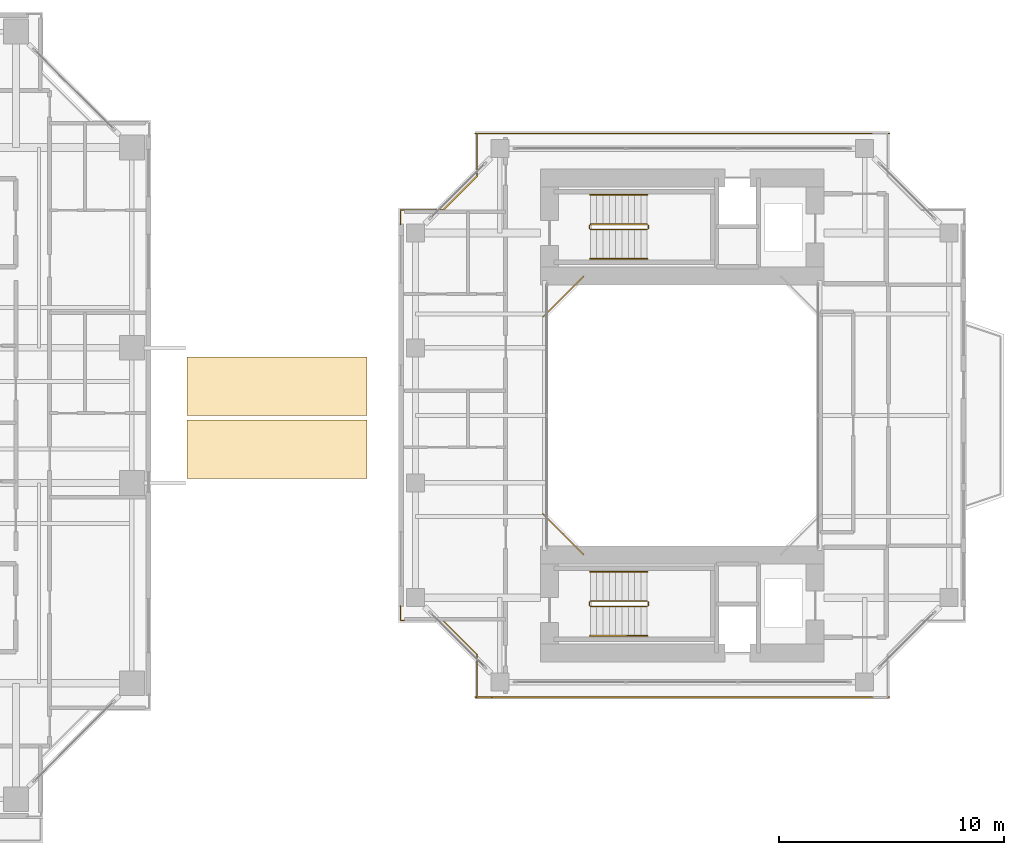
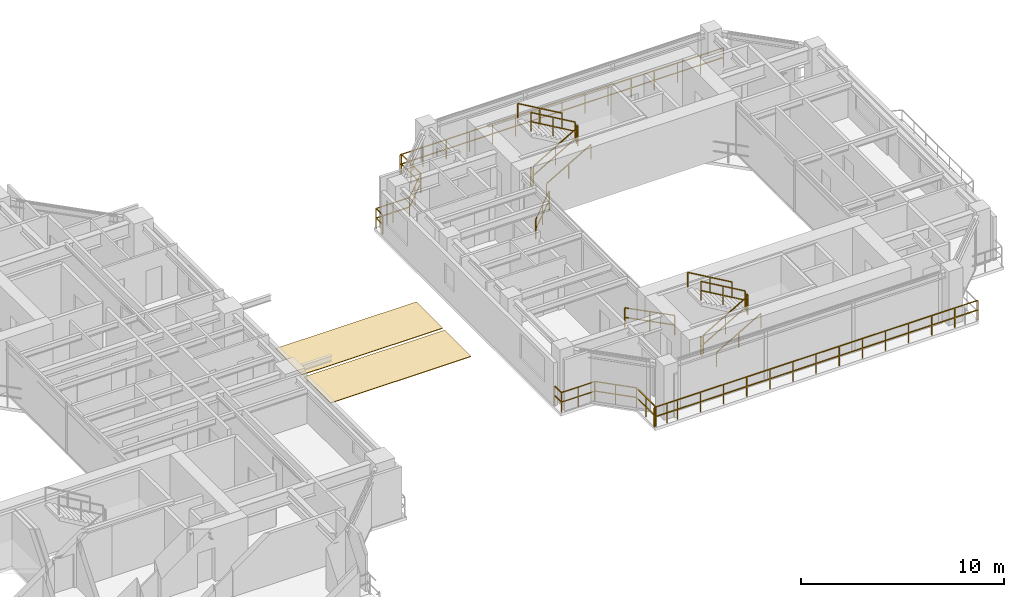
# One storey, part 22 of 23: 18 railings, 2 coverings.
"""IFC4 building model written with IfcOpenShell, lengths in metres."""

from ifc_helpers import new_model, si_unit, direction, frame, origin, origin_2d, place, context, subcontext, project, spatial, polyline, rectangle, outline, extrude, material, layer, layer_set, type_object, element, save


model = new_model("IFC4")

# Units and contexts
model_context = context("Model", 3, precision=1e-05, world=origin(), true_north=direction((0.0, 1.0)))
body_context = subcontext(model_context, "Body", "Model", "MODEL_VIEW")
ifc_project = project(units=[si_unit("LENGTHUNIT", "METRE"), si_unit("AREAUNIT", "SQUARE_METRE"), si_unit("VOLUMEUNIT", "CUBIC_METRE"), si_unit("PLANEANGLEUNIT", "RADIAN"), si_unit("MASSUNIT", "GRAM", prefix="KILO"), si_unit("THERMODYNAMICTEMPERATUREUNIT", "KELVIN"), si_unit("POWERUNIT", "WATT")], contexts=[model_context])

# Site, building, storey
site_placement = place(None, origin())
site = spatial("IfcSite", under=ifc_project, at=site_placement, CompositionType="ELEMENT")
building_placement = place(site_placement, origin())
building = spatial("IfcBuilding", under=site, at=building_placement, Name="Qiaomeng Ring Towers", CompositionType="ELEMENT")
storey_placement = place(building_placement, frame((0.0, 0.0, 97.0)))
storey = spatial("IfcBuildingStorey", under=building, at=storey_placement, Name="L27", CompositionType="ELEMENT", Elevation=97.0)

# Coverings
ifc_material_1 = material(Name="EPDM waterproofing membrane and XPS insulation", Category="membrane")
ifc_layer = layer(ifc_material_1, 0.0400390625, Name="EPDM waterproofing membrane and XPS insulation")
ifc_layer_set = layer_set([ifc_layer], Name="EPDM waterproofing membrane and XPS insulation")
covering_type = type_object("IfcCoveringType", Name="ARC-COV-ROOF", PredefinedType="ROOFING", material=ifc_layer_set)
covering_1_placement = place(storey_placement, origin())
element("IfcCovering", 1, at=covering_1_placement, inside=storey, type_object=covering_type, Name="Skybridge SB2 Roof Waterproofing 1", PredefinedType="ROOFING", context=body_context, shape_type="SweptSolid", body=[
    extrude(outline(polyline([(38.5, 20.199951171875), (46.5, 20.199951171875), (46.5, 22.800048828125), (38.5, 22.800048828125), (38.5, 20.199951171875)])), origin(), (0.0, 0.0, 1.0), 0.0400390625),
])
covering_2_placement = place(storey_placement, origin())
element("IfcCovering", 2, at=covering_2_placement, inside=storey, type_object=covering_type, Name="Skybridge SB2 Roof Waterproofing 2", PredefinedType="ROOFING", context=body_context, shape_type="SweptSolid", body=[
    extrude(outline(polyline([(38.5, 23.0), (46.5, 23.0), (46.5, 25.60009765625), (38.5, 25.60009765625), (38.5, 23.0)])), origin(), (0.0, 0.0, 1.0), 0.0400390625),
])

# Railings
ifc_material_2 = material(Name="Low-E pale-green laminated safety glass", Category="glass")
railing_type_1 = type_object("IfcRailingType", Name="ARC-RL-BAL1", PredefinedType="BALUSTRADE", material=ifc_material_2)
railing_1_placement = place(storey_placement, frame((56.1201171875, 29.179931640625, 0.0)))
element("IfcRailing", 3, at=railing_1_placement, inside=storey, type_object=railing_type_1, Name="L27 Balustrade ARC-BAL-WELL2-L27-3", PredefinedType="BALUSTRADE", context=body_context, shape_type="SweptSolid", body=[
    extrude(rectangle(XDim=0.048095703125, YDim=0.048095703125, at=origin_2d()), frame((0.0, 0.0, 1.17578125), z_axis=(-0.707106781187, -0.707106781187, 0.0), x_axis=(0.707106781187, -0.707106781187, 0.0)), (0.0, 0.0, 1.0), 2.545654296875),
    extrude(rectangle(XDim=0.048095703125, YDim=0.048095703125, at=origin_2d()), frame((0.0, 0.0, 0.60009765625), z_axis=(-0.707106781187, -0.707106781187, 0.0), x_axis=(0.707106781187, -0.707106781187, 0.0)), (0.0, 0.0, 1.0), 2.545654296875),
    extrude(rectangle(XDim=0.0419921875, YDim=0.0419921875, at=origin_2d()), origin(), (0.0, 0.0, 1.0), 1.15185546875),
    extrude(rectangle(XDim=0.0419921875, YDim=0.0419921875, at=origin_2d()), frame((-0.89990234375, -0.89990234375, 0.0)), (0.0, 0.0, 1.0), 1.15185546875),
    extrude(rectangle(XDim=0.0419921875, YDim=0.0419921875, at=origin_2d()), frame((-1.800048828125, -1.800048828125, 0.0)), (0.0, 0.0, 1.0), 1.15185546875),
])
railing_2_placement = place(storey_placement, frame((54.320068359375, 18.6201171875, 0.0)))
element("IfcRailing", 4, at=railing_2_placement, inside=storey, type_object=railing_type_1, Name="L27 Balustrade ARC-BAL-WELL2-L27-4", PredefinedType="BALUSTRADE", context=body_context, shape_type="SweptSolid", body=[
    extrude(rectangle(XDim=0.048095703125, YDim=0.048095703125, at=origin_2d()), frame((0.0, 0.0, 1.17578125), z_axis=(0.707106781187, -0.707106781187, 0.0), x_axis=(0.707106781187, 0.707106781187, 0.0)), (0.0, 0.0, 1.0), 2.545654296875),
    extrude(rectangle(XDim=0.048095703125, YDim=0.048095703125, at=origin_2d()), frame((0.0, 0.0, 0.60009765625), z_axis=(0.707106781187, -0.707106781187, 0.0), x_axis=(0.707106781187, 0.707106781187, 0.0)), (0.0, 0.0, 1.0), 2.545654296875),
    extrude(rectangle(XDim=0.0419921875, YDim=0.0419921875, at=origin_2d()), origin(), (0.0, 0.0, 1.0), 1.15185546875),
    extrude(rectangle(XDim=0.0419921875, YDim=0.0419921875, at=origin_2d()), frame((0.89990234375, -0.89990234375, 0.0)), (0.0, 0.0, 1.0), 1.15185546875),
    extrude(rectangle(XDim=0.0419921875, YDim=0.0419921875, at=origin_2d()), frame((1.800048828125, -1.800048828125, 0.0)), (0.0, 0.0, 1.0), 1.15185546875),
])
railing_3_placement = place(storey_placement, frame((52.030029296875, 35.52001953125, 0.0)))
element("IfcRailing", 5, at=railing_3_placement, inside=storey, type_object=railing_type_1, Name="L27 Balustrade ARC-BAL-NOTCH2-L27-NW", PredefinedType="BALUSTRADE", context=body_context, shape_type="SweptSolid", body=[
    extrude(rectangle(XDim=0.048095703125, YDim=0.048095703125, at=origin_2d()), frame((0.0, 0.0, 1.17578125), z_axis=(-1.0, 0.0, 0.0), x_axis=(0.0, -1.0, 0.0)), (0.0, 0.0, 1.0), 0.650146484375),
    extrude(rectangle(XDim=0.048095703125, YDim=0.048095703125, at=origin_2d()), frame((0.0, 0.0, 0.60009765625), z_axis=(-1.0, 0.0, 0.0), x_axis=(0.0, -1.0, 0.0)), (0.0, 0.0, 1.0), 0.650146484375),
    extrude(rectangle(XDim=0.048095703125, YDim=0.048095703125, at=origin_2d()), frame((-0.650146484375, 0.0, 1.17578125), z_axis=(0.0, -1.0, 0.0), x_axis=(1.0, 0.0, 0.0)), (0.0, 0.0, 1.0), 1.89990234375),
    extrude(rectangle(XDim=0.048095703125, YDim=0.048095703125, at=origin_2d()), frame((-0.650146484375, 0.0, 0.60009765625), z_axis=(0.0, -1.0, 0.0), x_axis=(1.0, 0.0, 0.0)), (0.0, 0.0, 1.0), 1.89990234375),
    extrude(rectangle(XDim=0.048095703125, YDim=0.048095703125, at=origin_2d()), frame((-0.650146484375, -1.89990234375, 1.17578125), z_axis=(-0.707106781187, -0.707106781187, 0.0), x_axis=(0.707106781187, -0.707106781187, 0.0)), (0.0, 0.0, 1.0), 2.121337890625),
    extrude(rectangle(XDim=0.048095703125, YDim=0.048095703125, at=origin_2d()), frame((-0.650146484375, -1.89990234375, 0.60009765625), z_axis=(-0.707106781187, -0.707106781187, 0.0), x_axis=(0.707106781187, -0.707106781187, 0.0)), (0.0, 0.0, 1.0), 2.121337890625),
    extrude(rectangle(XDim=0.048095703125, YDim=0.048095703125, at=origin_2d()), frame((-2.150146484375, -3.39990234375, 1.17578125), z_axis=(-1.0, 0.0, 0.0), x_axis=(0.0, -1.0, 0.0)), (0.0, 0.0, 1.0), 1.89990234375),
    extrude(rectangle(XDim=0.048095703125, YDim=0.048095703125, at=origin_2d()), frame((-2.150146484375, -3.39990234375, 0.60009765625), z_axis=(-1.0, 0.0, 0.0), x_axis=(0.0, -1.0, 0.0)), (0.0, 0.0, 1.0), 1.89990234375),
    extrude(rectangle(XDim=0.048095703125, YDim=0.048095703125, at=origin_2d()), frame((-4.050048828125, -3.39990234375, 1.17578125), z_axis=(0.0, -1.0, 0.0), x_axis=(1.0, 0.0, 0.0)), (0.0, 0.0, 1.0), 0.650146484375),
    extrude(rectangle(XDim=0.048095703125, YDim=0.048095703125, at=origin_2d()), frame((-4.050048828125, -3.39990234375, 0.60009765625), z_axis=(0.0, -1.0, 0.0), x_axis=(1.0, 0.0, 0.0)), (0.0, 0.0, 1.0), 0.650146484375),
    extrude(rectangle(XDim=0.0419921875, YDim=0.0419921875, at=origin_2d()), origin(), (0.0, 0.0, 1.0), 1.15185546875),
    extrude(rectangle(XDim=0.0419921875, YDim=0.0419921875, at=origin_2d()), frame((-0.650146484375, 0.0, 0.0)), (0.0, 0.0, 1.0), 1.15185546875),
    extrude(rectangle(XDim=0.0419921875, YDim=0.0419921875, at=origin_2d()), frame((-0.650146484375, -0.949951171875, 0.0)), (0.0, 0.0, 1.0), 1.15185546875),
    extrude(rectangle(XDim=0.0419921875, YDim=0.0419921875, at=origin_2d()), frame((-0.650146484375, -1.89990234375, 0.0)), (0.0, 0.0, 1.0), 1.15185546875),
    extrude(rectangle(XDim=0.0419921875, YDim=0.0419921875, at=origin_2d()), frame((-1.400146484375, -2.64990234375, 0.0)), (0.0, 0.0, 1.0), 1.15185546875),
    extrude(rectangle(XDim=0.0419921875, YDim=0.0419921875, at=origin_2d()), frame((-2.150146484375, -3.39990234375, 0.0)), (0.0, 0.0, 1.0), 1.15185546875),
    extrude(rectangle(XDim=0.0419921875, YDim=0.0419921875, at=origin_2d()), frame((-3.10009765625, -3.39990234375, 0.0)), (0.0, 0.0, 1.0), 1.15185546875),
    extrude(rectangle(XDim=0.0419921875, YDim=0.0419921875, at=origin_2d()), frame((-4.050048828125, -3.39990234375, 0.0)), (0.0, 0.0, 1.0), 1.15185546875),
    extrude(rectangle(XDim=0.0419921875, YDim=0.0419921875, at=origin_2d()), frame((-4.050048828125, -4.050048828125, 0.0)), (0.0, 0.0, 1.0), 1.15185546875),
])
railing_4_placement = place(storey_placement, frame((47.97998046875, 14.530029296875, 0.0)))
element("IfcRailing", 6, at=railing_4_placement, inside=storey, type_object=railing_type_1, Name="L27 Balustrade ARC-BAL-NOTCH2-L27-SW", PredefinedType="BALUSTRADE", context=body_context, shape_type="SweptSolid", body=[
    extrude(rectangle(XDim=0.048095703125, YDim=0.048095703125, at=origin_2d()), frame((0.0, 0.0, 1.17578125), z_axis=(0.0, -1.0, 0.0), x_axis=(1.0, 0.0, 0.0)), (0.0, 0.0, 1.0), 0.650146484375),
    extrude(rectangle(XDim=0.048095703125, YDim=0.048095703125, at=origin_2d()), frame((0.0, 0.0, 0.60009765625), z_axis=(0.0, -1.0, 0.0), x_axis=(1.0, 0.0, 0.0)), (0.0, 0.0, 1.0), 0.650146484375),
    extrude(rectangle(XDim=0.048095703125, YDim=0.048095703125, at=origin_2d()), frame((0.0, -0.650146484375, 1.17578125), z_axis=(1.0, 0.0, 0.0), x_axis=(0.0, 1.0, 0.0)), (0.0, 0.0, 1.0), 1.89990234375),
    extrude(rectangle(XDim=0.048095703125, YDim=0.048095703125, at=origin_2d()), frame((0.0, -0.650146484375, 0.60009765625), z_axis=(1.0, 0.0, 0.0), x_axis=(0.0, 1.0, 0.0)), (0.0, 0.0, 1.0), 1.89990234375),
    extrude(rectangle(XDim=0.048095703125, YDim=0.048095703125, at=origin_2d()), frame((1.89990234375, -0.650146484375, 1.17578125), z_axis=(0.707106781187, -0.707106781187, 0.0), x_axis=(0.707106781187, 0.707106781187, 0.0)), (0.0, 0.0, 1.0), 2.121337890625),
    extrude(rectangle(XDim=0.048095703125, YDim=0.048095703125, at=origin_2d()), frame((1.89990234375, -0.650146484375, 0.60009765625), z_axis=(0.707106781187, -0.707106781187, 0.0), x_axis=(0.707106781187, 0.707106781187, 0.0)), (0.0, 0.0, 1.0), 2.121337890625),
    extrude(rectangle(XDim=0.048095703125, YDim=0.048095703125, at=origin_2d()), frame((3.39990234375, -2.150146484375, 1.17578125), z_axis=(0.0, -1.0, 0.0), x_axis=(1.0, 0.0, 0.0)), (0.0, 0.0, 1.0), 1.89990234375),
    extrude(rectangle(XDim=0.048095703125, YDim=0.048095703125, at=origin_2d()), frame((3.39990234375, -2.150146484375, 0.60009765625), z_axis=(0.0, -1.0, 0.0), x_axis=(1.0, 0.0, 0.0)), (0.0, 0.0, 1.0), 1.89990234375),
    extrude(rectangle(XDim=0.048095703125, YDim=0.048095703125, at=origin_2d()), frame((3.39990234375, -4.050048828125, 1.17578125), z_axis=(1.0, 0.0, 0.0), x_axis=(0.0, 1.0, 0.0)), (0.0, 0.0, 1.0), 0.650146484375),
    extrude(rectangle(XDim=0.048095703125, YDim=0.048095703125, at=origin_2d()), frame((3.39990234375, -4.050048828125, 0.60009765625), z_axis=(1.0, 0.0, 0.0), x_axis=(0.0, 1.0, 0.0)), (0.0, 0.0, 1.0), 0.650146484375),
    extrude(rectangle(XDim=0.0419921875, YDim=0.0419921875, at=origin_2d()), origin(), (0.0, 0.0, 1.0), 1.15185546875),
    extrude(rectangle(XDim=0.0419921875, YDim=0.0419921875, at=origin_2d()), frame((0.0, -0.650146484375, 0.0)), (0.0, 0.0, 1.0), 1.15185546875),
    extrude(rectangle(XDim=0.0419921875, YDim=0.0419921875, at=origin_2d()), frame((0.949951171875, -0.650146484375, 0.0)), (0.0, 0.0, 1.0), 1.15185546875),
    extrude(rectangle(XDim=0.0419921875, YDim=0.0419921875, at=origin_2d()), frame((1.89990234375, -0.650146484375, 0.0)), (0.0, 0.0, 1.0), 1.15185546875),
    extrude(rectangle(XDim=0.0419921875, YDim=0.0419921875, at=origin_2d()), frame((2.64990234375, -1.400146484375, 0.0)), (0.0, 0.0, 1.0), 1.15185546875),
    extrude(rectangle(XDim=0.0419921875, YDim=0.0419921875, at=origin_2d()), frame((3.39990234375, -2.150146484375, 0.0)), (0.0, 0.0, 1.0), 1.15185546875),
    extrude(rectangle(XDim=0.0419921875, YDim=0.0419921875, at=origin_2d()), frame((3.39990234375, -3.10009765625, 0.0)), (0.0, 0.0, 1.0), 1.15185546875),
    extrude(rectangle(XDim=0.0419921875, YDim=0.0419921875, at=origin_2d()), frame((3.39990234375, -4.050048828125, 0.0)), (0.0, 0.0, 1.0), 1.15185546875),
    extrude(rectangle(XDim=0.0419921875, YDim=0.0419921875, at=origin_2d()), frame((4.050048828125, -4.050048828125, 0.0)), (0.0, 0.0, 1.0), 1.15185546875),
])
railing_5_placement = place(storey_placement, frame((51.300048828125, 35.52001953125, 0.0)))
element("IfcRailing", 7, at=railing_5_placement, inside=storey, type_object=railing_type_1, Name="L27 Balustrade ARC-BAL-T2N-L27", PredefinedType="BALUSTRADE", context=body_context, shape_type="SweptSolid", body=[
    extrude(rectangle(XDim=0.048095703125, YDim=0.048095703125, at=origin_2d()), frame((0.0, 0.0, 1.17578125), z_axis=(1.0, 0.0, 0.0), x_axis=(0.0, 1.0, 0.0)), (0.0, 0.0, 1.0), 18.39990234375),
    extrude(rectangle(XDim=0.048095703125, YDim=0.048095703125, at=origin_2d()), frame((0.0, 0.0, 0.60009765625), z_axis=(1.0, 0.0, 0.0), x_axis=(0.0, 1.0, 0.0)), (0.0, 0.0, 1.0), 18.39990234375),
    extrude(rectangle(XDim=0.0419921875, YDim=0.0419921875, at=origin_2d()), origin(), (0.0, 0.0, 1.0), 1.15185546875),
    extrude(rectangle(XDim=0.0419921875, YDim=0.0419921875, at=origin_2d()), frame((1.314208984375, 0.0, 0.0)), (0.0, 0.0, 1.0), 1.15185546875),
    extrude(rectangle(XDim=0.0419921875, YDim=0.0419921875, at=origin_2d()), frame((2.628662109375, 0.0, 0.0)), (0.0, 0.0, 1.0), 1.15185546875),
    extrude(rectangle(XDim=0.0419921875, YDim=0.0419921875, at=origin_2d()), frame((3.94287109375, 0.0, 0.0)), (0.0, 0.0, 1.0), 1.15185546875),
    extrude(rectangle(XDim=0.0419921875, YDim=0.0419921875, at=origin_2d()), frame((5.257080078125, 0.0, 0.0)), (0.0, 0.0, 1.0), 1.15185546875),
    extrude(rectangle(XDim=0.0419921875, YDim=0.0419921875, at=origin_2d()), frame((6.5712890625, 0.0, 0.0)), (0.0, 0.0, 1.0), 1.15185546875),
    extrude(rectangle(XDim=0.0419921875, YDim=0.0419921875, at=origin_2d()), frame((7.8857421875, 0.0, 0.0)), (0.0, 0.0, 1.0), 1.15185546875),
    extrude(rectangle(XDim=0.0419921875, YDim=0.0419921875, at=origin_2d()), frame((9.199951171875, 0.0, 0.0)), (0.0, 0.0, 1.0), 1.15185546875),
    extrude(rectangle(XDim=0.0419921875, YDim=0.0419921875, at=origin_2d()), frame((10.51416015625, 0.0, 0.0)), (0.0, 0.0, 1.0), 1.15185546875),
    extrude(rectangle(XDim=0.0419921875, YDim=0.0419921875, at=origin_2d()), frame((11.82861328125, 0.0, 0.0)), (0.0, 0.0, 1.0), 1.15185546875),
    extrude(rectangle(XDim=0.0419921875, YDim=0.0419921875, at=origin_2d()), frame((13.142822265625, 0.0, 0.0)), (0.0, 0.0, 1.0), 1.15185546875),
    extrude(rectangle(XDim=0.0419921875, YDim=0.0419921875, at=origin_2d()), frame((14.45703125, 0.0, 0.0)), (0.0, 0.0, 1.0), 1.15185546875),
    extrude(rectangle(XDim=0.0419921875, YDim=0.0419921875, at=origin_2d()), frame((15.771240234375, 0.0, 0.0)), (0.0, 0.0, 1.0), 1.15185546875),
    extrude(rectangle(XDim=0.0419921875, YDim=0.0419921875, at=origin_2d()), frame((17.085693359375, 0.0, 0.0)), (0.0, 0.0, 1.0), 1.15185546875),
    extrude(rectangle(XDim=0.0419921875, YDim=0.0419921875, at=origin_2d()), frame((18.39990234375, 0.0, 0.0)), (0.0, 0.0, 1.0), 1.15185546875),
])
railing_6_placement = place(storey_placement, frame((51.300048828125, 10.47998046875, 0.0)))
element("IfcRailing", 8, at=railing_6_placement, inside=storey, type_object=railing_type_1, Name="L27 Balustrade ARC-BAL-T2S-L27", PredefinedType="BALUSTRADE", context=body_context, shape_type="SweptSolid", body=[
    extrude(rectangle(XDim=0.048095703125, YDim=0.048095703125, at=origin_2d()), frame((0.0, 0.0, 1.17578125), z_axis=(1.0, 0.0, 0.0), x_axis=(0.0, 1.0, 0.0)), (0.0, 0.0, 1.0), 18.39990234375),
    extrude(rectangle(XDim=0.048095703125, YDim=0.048095703125, at=origin_2d()), frame((0.0, 0.0, 0.60009765625), z_axis=(1.0, 0.0, 0.0), x_axis=(0.0, 1.0, 0.0)), (0.0, 0.0, 1.0), 18.39990234375),
    extrude(rectangle(XDim=0.0419921875, YDim=0.0419921875, at=origin_2d()), origin(), (0.0, 0.0, 1.0), 1.15185546875),
    extrude(rectangle(XDim=0.0419921875, YDim=0.0419921875, at=origin_2d()), frame((1.314208984375, 0.0, 0.0)), (0.0, 0.0, 1.0), 1.15185546875),
    extrude(rectangle(XDim=0.0419921875, YDim=0.0419921875, at=origin_2d()), frame((2.628662109375, 0.0, 0.0)), (0.0, 0.0, 1.0), 1.15185546875),
    extrude(rectangle(XDim=0.0419921875, YDim=0.0419921875, at=origin_2d()), frame((3.94287109375, 0.0, 0.0)), (0.0, 0.0, 1.0), 1.15185546875),
    extrude(rectangle(XDim=0.0419921875, YDim=0.0419921875, at=origin_2d()), frame((5.257080078125, 0.0, 0.0)), (0.0, 0.0, 1.0), 1.15185546875),
    extrude(rectangle(XDim=0.0419921875, YDim=0.0419921875, at=origin_2d()), frame((6.5712890625, 0.0, 0.0)), (0.0, 0.0, 1.0), 1.15185546875),
    extrude(rectangle(XDim=0.0419921875, YDim=0.0419921875, at=origin_2d()), frame((7.8857421875, 0.0, 0.0)), (0.0, 0.0, 1.0), 1.15185546875),
    extrude(rectangle(XDim=0.0419921875, YDim=0.0419921875, at=origin_2d()), frame((9.199951171875, 0.0, 0.0)), (0.0, 0.0, 1.0), 1.15185546875),
    extrude(rectangle(XDim=0.0419921875, YDim=0.0419921875, at=origin_2d()), frame((10.51416015625, 0.0, 0.0)), (0.0, 0.0, 1.0), 1.15185546875),
    extrude(rectangle(XDim=0.0419921875, YDim=0.0419921875, at=origin_2d()), frame((11.82861328125, 0.0, 0.0)), (0.0, 0.0, 1.0), 1.15185546875),
    extrude(rectangle(XDim=0.0419921875, YDim=0.0419921875, at=origin_2d()), frame((13.142822265625, 0.0, 0.0)), (0.0, 0.0, 1.0), 1.15185546875),
    extrude(rectangle(XDim=0.0419921875, YDim=0.0419921875, at=origin_2d()), frame((14.45703125, 0.0, 0.0)), (0.0, 0.0, 1.0), 1.15185546875),
    extrude(rectangle(XDim=0.0419921875, YDim=0.0419921875, at=origin_2d()), frame((15.771240234375, 0.0, 0.0)), (0.0, 0.0, 1.0), 1.15185546875),
    extrude(rectangle(XDim=0.0419921875, YDim=0.0419921875, at=origin_2d()), frame((17.085693359375, 0.0, 0.0)), (0.0, 0.0, 1.0), 1.15185546875),
    extrude(rectangle(XDim=0.0419921875, YDim=0.0419921875, at=origin_2d()), frame((18.39990234375, 0.0, 0.0)), (0.0, 0.0, 1.0), 1.15185546875),
])
ifc_material_3 = material(Name="Galvanised steel", Category="steel")
railing_type_2 = type_object("IfcRailingType", Name="ARC-RL-GUARD", PredefinedType="GUARDRAIL", material=ifc_material_3)
railing_7_placement = place(storey_placement, frame((56.419921875, 31.25, 0.16259765625)))
element("IfcRailing", 9, at=railing_7_placement, inside=storey, type_object=railing_type_2, Name="L27 ST5 stair guard 1", PredefinedType="GUARDRAIL", context=body_context, shape_type="SweptSolid", body=[
    extrude(rectangle(XDim=0.048095703125, YDim=0.048095703125, at=origin_2d()), frame((0.0, 0.0, 1.1259765625), z_axis=(0.864913338283, 0.0, 0.50192122615), x_axis=(0.0, 1.0, 0.0)), (0.0, 0.0, 1.0), 2.91357421875),
    extrude(rectangle(XDim=0.048095703125, YDim=0.048095703125, at=origin_2d()), frame((0.0, 0.0, 0.574951171875), z_axis=(0.864913338283, 0.0, 0.50192122615), x_axis=(0.0, 1.0, 0.0)), (0.0, 0.0, 1.0), 2.91357421875),
    extrude(rectangle(XDim=0.0419921875, YDim=0.0419921875, at=origin_2d()), origin(), (0.0, 0.0, 1.0), 1.101806640625),
    extrude(rectangle(XDim=0.0419921875, YDim=0.0419921875, at=origin_2d()), frame((1.260009765625, 0.0, 0.731201171875)), (0.0, 0.0, 1.0), 1.101806640625),
    extrude(rectangle(XDim=0.0419921875, YDim=0.0419921875, at=origin_2d()), frame((2.52001953125, 0.0, 1.46240234375)), (0.0, 0.0, 1.0), 1.101806640625),
])
railing_8_placement = place(storey_placement, frame((58.989990234375, 31.300048828125, 1.625)))
element("IfcRailing", 10, at=railing_8_placement, inside=storey, type_object=railing_type_2, Name="L27 ST5 stair guard 2", PredefinedType="GUARDRAIL", context=body_context, shape_type="SweptSolid", body=[
    extrude(rectangle(XDim=0.048095703125, YDim=0.048095703125, at=origin_2d()), frame((0.0, 0.0, 1.1259765625), z_axis=(0.0, 1.0, 0.0), x_axis=(-1.0, 0.0, 0.0)), (0.0, 0.0, 1.0), 0.139892578125),
    extrude(rectangle(XDim=0.048095703125, YDim=0.048095703125, at=origin_2d()), frame((0.0, 0.0, 0.574951171875), z_axis=(0.0, 1.0, 0.0), x_axis=(-1.0, 0.0, 0.0)), (0.0, 0.0, 1.0), 0.139892578125),
    extrude(rectangle(XDim=0.0419921875, YDim=0.0419921875, at=origin_2d()), origin(), (0.0, 0.0, 1.0), 1.101806640625),
    extrude(rectangle(XDim=0.0419921875, YDim=0.0419921875, at=origin_2d()), frame((0.0, 0.139892578125, 0.0)), (0.0, 0.0, 1.0), 1.101806640625),
])
railing_9_placement = place(storey_placement, frame((58.93994140625, 31.489990234375, 1.78759765625)))
element("IfcRailing", 11, at=railing_9_placement, inside=storey, type_object=railing_type_2, Name="L27 ST5 stair guard 3", PredefinedType="GUARDRAIL", context=body_context, shape_type="SweptSolid", body=[
    extrude(rectangle(XDim=0.048095703125, YDim=0.048095703125, at=origin_2d()), frame((0.0, 0.0, 1.1259765625), z_axis=(-0.864913338283, 0.0, 0.50192122615), x_axis=(0.0, -1.0, 0.0)), (0.0, 0.0, 1.0), 2.91357421875),
    extrude(rectangle(XDim=0.048095703125, YDim=0.048095703125, at=origin_2d()), frame((0.0, 0.0, 0.574951171875), z_axis=(-0.864913338283, 0.0, 0.50192122615), x_axis=(0.0, -1.0, 0.0)), (0.0, 0.0, 1.0), 2.91357421875),
    extrude(rectangle(XDim=0.0419921875, YDim=0.0419921875, at=origin_2d()), origin(), (0.0, 0.0, 1.0), 1.101806640625),
    extrude(rectangle(XDim=0.0419921875, YDim=0.0419921875, at=origin_2d()), frame((-1.260009765625, 0.0, 0.731201171875)), (0.0, 0.0, 1.0), 1.101806640625),
    extrude(rectangle(XDim=0.0419921875, YDim=0.0419921875, at=origin_2d()), frame((-2.52001953125, 0.0, 1.46240234375)), (0.0, 0.0, 1.0), 1.101806640625),
])
railing_10_placement = place(storey_placement, frame((56.3701171875, 31.300048828125, 0.0)))
element("IfcRailing", 12, at=railing_10_placement, inside=storey, type_object=railing_type_2, Name="L27 ST5 stair guard 4", PredefinedType="GUARDRAIL", context=body_context, shape_type="SweptSolid", body=[
    extrude(rectangle(XDim=0.048095703125, YDim=0.048095703125, at=origin_2d()), frame((0.0, 0.0, 1.1259765625), z_axis=(0.0, 1.0, 0.0), x_axis=(-1.0, 0.0, 0.0)), (0.0, 0.0, 1.0), 0.139892578125),
    extrude(rectangle(XDim=0.048095703125, YDim=0.048095703125, at=origin_2d()), frame((0.0, 0.0, 0.574951171875), z_axis=(0.0, 1.0, 0.0), x_axis=(-1.0, 0.0, 0.0)), (0.0, 0.0, 1.0), 0.139892578125),
    extrude(rectangle(XDim=0.0419921875, YDim=0.0419921875, at=origin_2d()), origin(), (0.0, 0.0, 1.0), 1.101806640625),
    extrude(rectangle(XDim=0.0419921875, YDim=0.0419921875, at=origin_2d()), frame((0.0, 0.139892578125, 0.0)), (0.0, 0.0, 1.0), 1.101806640625),
])
railing_11_placement = place(storey_placement, frame((56.419921875, 14.510009765625, 0.16259765625)))
element("IfcRailing", 13, at=railing_11_placement, inside=storey, type_object=railing_type_2, Name="L27 ST6 stair guard 1", PredefinedType="GUARDRAIL", context=body_context, shape_type="SweptSolid", body=[
    extrude(rectangle(XDim=0.048095703125, YDim=0.048095703125, at=origin_2d()), frame((0.0, 0.0, 1.1259765625), z_axis=(0.864913338283, 0.0, 0.50192122615), x_axis=(0.0, 1.0, 0.0)), (0.0, 0.0, 1.0), 2.91357421875),
    extrude(rectangle(XDim=0.048095703125, YDim=0.048095703125, at=origin_2d()), frame((0.0, 0.0, 0.574951171875), z_axis=(0.864913338283, 0.0, 0.50192122615), x_axis=(0.0, 1.0, 0.0)), (0.0, 0.0, 1.0), 2.91357421875),
    extrude(rectangle(XDim=0.0419921875, YDim=0.0419921875, at=origin_2d()), origin(), (0.0, 0.0, 1.0), 1.101806640625),
    extrude(rectangle(XDim=0.0419921875, YDim=0.0419921875, at=origin_2d()), frame((1.260009765625, 0.0, 0.731201171875)), (0.0, 0.0, 1.0), 1.101806640625),
    extrude(rectangle(XDim=0.0419921875, YDim=0.0419921875, at=origin_2d()), frame((2.52001953125, 0.0, 1.46240234375)), (0.0, 0.0, 1.0), 1.101806640625),
])
railing_12_placement = place(storey_placement, frame((58.989990234375, 14.56005859375, 1.625)))
element("IfcRailing", 14, at=railing_12_placement, inside=storey, type_object=railing_type_2, Name="L27 ST6 stair guard 2", PredefinedType="GUARDRAIL", context=body_context, shape_type="SweptSolid", body=[
    extrude(rectangle(XDim=0.048095703125, YDim=0.048095703125, at=origin_2d()), frame((0.0, 0.0, 1.1259765625), z_axis=(0.0, 1.0, 0.0), x_axis=(-1.0, 0.0, 0.0)), (0.0, 0.0, 1.0), 0.139892578125),
    extrude(rectangle(XDim=0.048095703125, YDim=0.048095703125, at=origin_2d()), frame((0.0, 0.0, 0.574951171875), z_axis=(0.0, 1.0, 0.0), x_axis=(-1.0, 0.0, 0.0)), (0.0, 0.0, 1.0), 0.139892578125),
    extrude(rectangle(XDim=0.0419921875, YDim=0.0419921875, at=origin_2d()), origin(), (0.0, 0.0, 1.0), 1.101806640625),
    extrude(rectangle(XDim=0.0419921875, YDim=0.0419921875, at=origin_2d()), frame((0.0, 0.139892578125, 0.0)), (0.0, 0.0, 1.0), 1.101806640625),
])
railing_13_placement = place(storey_placement, frame((58.93994140625, 14.75, 1.78759765625)))
element("IfcRailing", 15, at=railing_13_placement, inside=storey, type_object=railing_type_2, Name="L27 ST6 stair guard 3", PredefinedType="GUARDRAIL", context=body_context, shape_type="SweptSolid", body=[
    extrude(rectangle(XDim=0.048095703125, YDim=0.048095703125, at=origin_2d()), frame((0.0, 0.0, 1.1259765625), z_axis=(-0.864913338283, 0.0, 0.50192122615), x_axis=(0.0, -1.0, 0.0)), (0.0, 0.0, 1.0), 2.91357421875),
    extrude(rectangle(XDim=0.048095703125, YDim=0.048095703125, at=origin_2d()), frame((0.0, 0.0, 0.574951171875), z_axis=(-0.864913338283, 0.0, 0.50192122615), x_axis=(0.0, -1.0, 0.0)), (0.0, 0.0, 1.0), 2.91357421875),
    extrude(rectangle(XDim=0.0419921875, YDim=0.0419921875, at=origin_2d()), origin(), (0.0, 0.0, 1.0), 1.101806640625),
    extrude(rectangle(XDim=0.0419921875, YDim=0.0419921875, at=origin_2d()), frame((-1.260009765625, 0.0, 0.731201171875)), (0.0, 0.0, 1.0), 1.101806640625),
    extrude(rectangle(XDim=0.0419921875, YDim=0.0419921875, at=origin_2d()), frame((-2.52001953125, 0.0, 1.46240234375)), (0.0, 0.0, 1.0), 1.101806640625),
])
railing_14_placement = place(storey_placement, frame((56.3701171875, 14.56005859375, 0.0)))
element("IfcRailing", 16, at=railing_14_placement, inside=storey, type_object=railing_type_2, Name="L27 ST6 stair guard 4", PredefinedType="GUARDRAIL", context=body_context, shape_type="SweptSolid", body=[
    extrude(rectangle(XDim=0.048095703125, YDim=0.048095703125, at=origin_2d()), frame((0.0, 0.0, 1.1259765625), z_axis=(0.0, 1.0, 0.0), x_axis=(-1.0, 0.0, 0.0)), (0.0, 0.0, 1.0), 0.139892578125),
    extrude(rectangle(XDim=0.048095703125, YDim=0.048095703125, at=origin_2d()), frame((0.0, 0.0, 0.574951171875), z_axis=(0.0, 1.0, 0.0), x_axis=(-1.0, 0.0, 0.0)), (0.0, 0.0, 1.0), 0.139892578125),
    extrude(rectangle(XDim=0.0419921875, YDim=0.0419921875, at=origin_2d()), origin(), (0.0, 0.0, 1.0), 1.101806640625),
    extrude(rectangle(XDim=0.0419921875, YDim=0.0419921875, at=origin_2d()), frame((0.0, 0.139892578125, 0.0)), (0.0, 0.0, 1.0), 1.101806640625),
])
ifc_material_4 = material(Name="Stainless steel 316", Category="steel")
railing_type_3 = type_object("IfcRailingType", Name="ARC-RL-HAND", PredefinedType="HANDRAIL", material=ifc_material_4)
railing_15_placement = place(storey_placement, frame((56.419921875, 29.949951171875, 0.16259765625)))
element("IfcRailing", 17, at=railing_15_placement, inside=storey, type_object=railing_type_3, Name="L27 ST5 stair handrail 1", PredefinedType="HANDRAIL", context=body_context, shape_type="SweptSolid", body=[
    extrude(rectangle(XDim=0.048095703125, YDim=0.048095703125, at=origin_2d()), frame((0.0, 0.0, 0.8759765625), z_axis=(0.864913338283, 0.0, 0.50192122615), x_axis=(0.0, 1.0, 0.0)), (0.0, 0.0, 1.0), 2.91357421875),
    extrude(rectangle(XDim=0.0419921875, YDim=0.0419921875, at=origin_2d()), origin(), (0.0, 0.0, 1.0), 0.851806640625),
    extrude(rectangle(XDim=0.0419921875, YDim=0.0419921875, at=origin_2d()), frame((1.260009765625, 0.0, 0.731201171875)), (0.0, 0.0, 1.0), 0.851806640625),
    extrude(rectangle(XDim=0.0419921875, YDim=0.0419921875, at=origin_2d()), frame((2.52001953125, 0.0, 1.46240234375)), (0.0, 0.0, 1.0), 0.851806640625),
])
railing_16_placement = place(storey_placement, frame((58.93994140625, 32.7900390625, 1.78759765625)))
element("IfcRailing", 18, at=railing_16_placement, inside=storey, type_object=railing_type_3, Name="L27 ST5 stair handrail 2", PredefinedType="HANDRAIL", context=body_context, shape_type="SweptSolid", body=[
    extrude(rectangle(XDim=0.048095703125, YDim=0.048095703125, at=origin_2d()), frame((0.0, 0.0, 0.8759765625), z_axis=(-0.864913338283, 0.0, 0.50192122615), x_axis=(0.0, -1.0, 0.0)), (0.0, 0.0, 1.0), 2.91357421875),
    extrude(rectangle(XDim=0.0419921875, YDim=0.0419921875, at=origin_2d()), origin(), (0.0, 0.0, 1.0), 0.851806640625),
    extrude(rectangle(XDim=0.0419921875, YDim=0.0419921875, at=origin_2d()), frame((-1.260009765625, 0.0, 0.731201171875)), (0.0, 0.0, 1.0), 0.851806640625),
    extrude(rectangle(XDim=0.0419921875, YDim=0.0419921875, at=origin_2d()), frame((-2.52001953125, 0.0, 1.46240234375)), (0.0, 0.0, 1.0), 0.851806640625),
])
railing_17_placement = place(storey_placement, frame((56.419921875, 13.2099609375, 0.16259765625)))
element("IfcRailing", 19, at=railing_17_placement, inside=storey, type_object=railing_type_3, Name="L27 ST6 stair handrail 1", PredefinedType="HANDRAIL", context=body_context, shape_type="SweptSolid", body=[
    extrude(rectangle(XDim=0.048095703125, YDim=0.048095703125, at=origin_2d()), frame((0.0, 0.0, 0.8759765625), z_axis=(0.864913338283, 0.0, 0.50192122615), x_axis=(0.0, 1.0, 0.0)), (0.0, 0.0, 1.0), 2.91357421875),
    extrude(rectangle(XDim=0.0419921875, YDim=0.0419921875, at=origin_2d()), origin(), (0.0, 0.0, 1.0), 0.851806640625),
    extrude(rectangle(XDim=0.0419921875, YDim=0.0419921875, at=origin_2d()), frame((1.260009765625, 0.0, 0.731201171875)), (0.0, 0.0, 1.0), 0.851806640625),
    extrude(rectangle(XDim=0.0419921875, YDim=0.0419921875, at=origin_2d()), frame((2.52001953125, 0.0, 1.46240234375)), (0.0, 0.0, 1.0), 0.851806640625),
])
railing_18_placement = place(storey_placement, frame((58.93994140625, 16.050048828125, 1.78759765625)))
element("IfcRailing", 20, at=railing_18_placement, inside=storey, type_object=railing_type_3, Name="L27 ST6 stair handrail 2", PredefinedType="HANDRAIL", context=body_context, shape_type="SweptSolid", body=[
    extrude(rectangle(XDim=0.048095703125, YDim=0.048095703125, at=origin_2d()), frame((0.0, 0.0, 0.8759765625), z_axis=(-0.864913338283, 0.0, 0.50192122615), x_axis=(0.0, -1.0, 0.0)), (0.0, 0.0, 1.0), 2.91357421875),
    extrude(rectangle(XDim=0.0419921875, YDim=0.0419921875, at=origin_2d()), origin(), (0.0, 0.0, 1.0), 0.851806640625),
    extrude(rectangle(XDim=0.0419921875, YDim=0.0419921875, at=origin_2d()), frame((-1.260009765625, 0.0, 0.731201171875)), (0.0, 0.0, 1.0), 0.851806640625),
    extrude(rectangle(XDim=0.0419921875, YDim=0.0419921875, at=origin_2d()), frame((-2.52001953125, 0.0, 1.46240234375)), (0.0, 0.0, 1.0), 0.851806640625),
])

save(model, "model.ifc")
